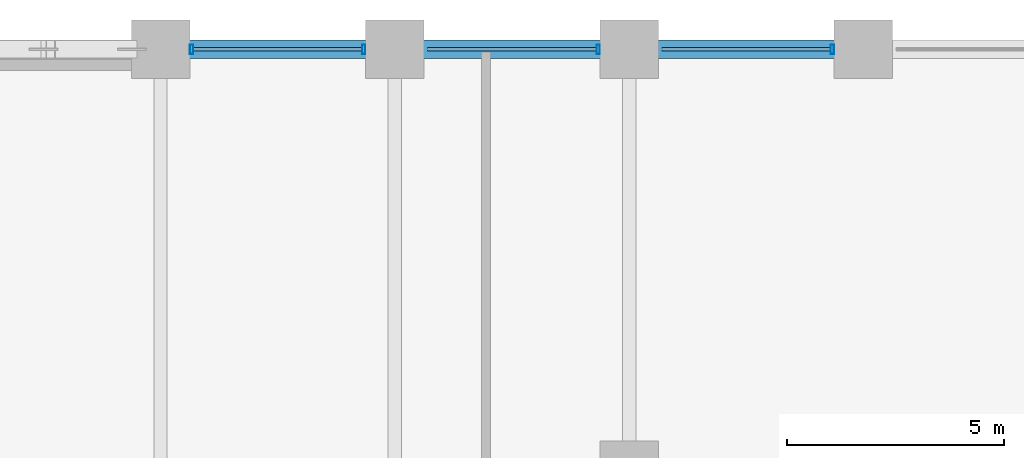
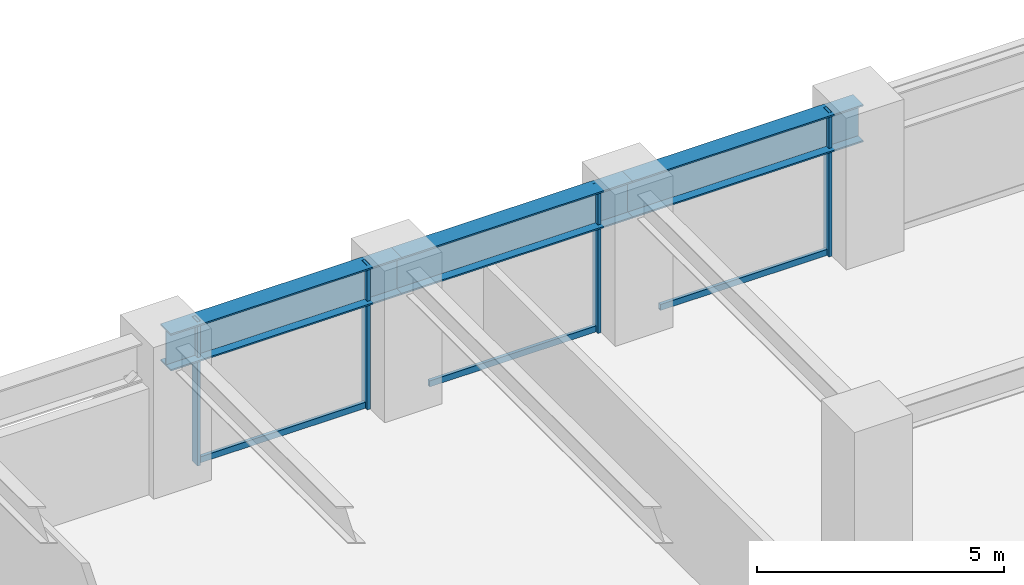
# One storey, part 15 of 25: 7 members, 3 beams, 1 element without a shape of its own.
"""IFC4 building model written with IfcOpenShell, lengths in metres."""

from ifc_helpers import new_model, si_unit, direction, frame, origin, origin_2d, place, context, subcontext, project, spatial, hollow_rectangle, i_section, extrude, material, layer, layer_set, material_profile, profile_set, type_object, element, aggregate, save


model = new_model("IFC4")

# Units and contexts
model_context = context("Model", 3, precision=1e-05, world=origin(), true_north=direction((0.0, 1.0)))
body_context = subcontext(model_context, "Body", "Model", "MODEL_VIEW")
ifc_project = project(units=[si_unit("LENGTHUNIT", "METRE"), si_unit("AREAUNIT", "SQUARE_METRE"), si_unit("VOLUMEUNIT", "CUBIC_METRE"), si_unit("PLANEANGLEUNIT", "RADIAN"), si_unit("MASSUNIT", "GRAM", prefix="KILO")], contexts=[model_context])

# Site, building, storey
site_placement = place(None, origin())
site = spatial("IfcSite", under=ifc_project, at=site_placement, CompositionType="ELEMENT")
building_placement = place(site_placement, origin())
building = spatial("IfcBuilding", under=site, at=building_placement, Name="Surkhivell Harbour Commons", CompositionType="ELEMENT")
storey_placement = place(building_placement, frame((0.0, 0.0, 45.0)))
storey = spatial("IfcBuildingStorey", under=building, at=storey_placement, Name="L11", CompositionType="ELEMENT", Elevation=45.0)

# Beams
ifc_material_1 = material(Name="Steel S460", Category="steel")
ifc_material_profile_1 = material_profile(ifc_material_1, i_section(OverallWidth=0.419921875, OverallDepth=0.9208984375, WebThickness=0.021484375, FlangeThickness=0.03662109375, at=origin_2d()), Name="UB914x419x388")
ifc_profile_set_1 = profile_set([ifc_material_profile_1], Name="Steel S460")
beam_type = type_object("IfcBeamType", Name="BM-SPN-914A", PredefinedType="SPANDREL", material=ifc_profile_set_1)
beam_1_placement = place(storey_placement, frame((5.39990234375, 25.89990234375, 3.109619140625), z_axis=(1.0, 0.0, 0.0), x_axis=(0.0, 1.0, 0.0)))
element("IfcBeam", 1, at=beam_1_placement, inside=storey, type_object=beam_type, Name="L11 Tube Spandrel (5.4,25.9)", PredefinedType="SPANDREL", context=body_context, shape_type="SweptSolid", body=[
    extrude(i_section(OverallWidth=0.419921875, OverallDepth=0.9208984375, WebThickness=0.021484375, FlangeThickness=0.03662109375, at=origin_2d()), origin(), (0.0, 0.0, 1.0), 5.400146484375),
])
beam_2_placement = place(storey_placement, frame((10.800048828125, 25.89990234375, 3.109619140625), z_axis=(1.0, 0.0, 0.0), x_axis=(0.0, 1.0, 0.0)))
element("IfcBeam", 2, at=beam_2_placement, inside=storey, type_object=beam_type, Name="L11 Tube Spandrel (10.8,25.9)", PredefinedType="SPANDREL", context=body_context, shape_type="SweptSolid", body=[
    extrude(i_section(OverallWidth=0.419921875, OverallDepth=0.9208984375, WebThickness=0.021484375, FlangeThickness=0.03662109375, at=origin_2d()), origin(), (0.0, 0.0, 1.0), 5.39990234375),
])
beam_3_placement = place(storey_placement, frame((16.199951171875, 25.89990234375, 3.109619140625), z_axis=(1.0, 0.0, 0.0), x_axis=(0.0, 1.0, 0.0)))
element("IfcBeam", 3, at=beam_3_placement, inside=storey, type_object=beam_type, Name="L11 Tube Spandrel (16.2,25.9)", PredefinedType="SPANDREL", context=body_context, shape_type="SweptSolid", body=[
    extrude(i_section(OverallWidth=0.419921875, OverallDepth=0.9208984375, WebThickness=0.021484375, FlangeThickness=0.03662109375, at=origin_2d()), origin(), (0.0, 0.0, 1.0), 5.400146484375),
])

# Curtain wall, members
ifc_material_2 = material(Name="Anodised pale-metal aluminium and insulated glazing", Category="aluminium")
ifc_layer = layer(ifc_material_2, 0.219970703125)
ifc_layer_set = layer_set([ifc_layer], Name="Anodised pale-metal aluminium and insulated glazing")
curtain_wall_type = type_object("IfcCurtainWallType", Name="CW-SYS-Z1", PredefinedType="NOTDEFINED", material=ifc_layer_set)
curtain_wall_placement = place(storey_placement, origin())
curtain_wall = element("IfcCurtainWall", 4, at=curtain_wall_placement, inside=storey, type_object=curtain_wall_type, Name="L11 Curtain Wall CW-L11-E07S1", PredefinedType="NOTDEFINED")
ifc_material_3 = material(Name="Anodised pale-metal aluminium alloy 6063-T6", Category="aluminium")
ifc_material_profile_2 = material_profile(ifc_material_3, hollow_rectangle(XDim=0.074951171875, YDim=0.219970703125, WallThickness=0.00390625, at=origin_2d()), Name="ALU-MULL-75x220")
ifc_profile_set_2 = profile_set([ifc_material_profile_2], Name="Anodised pale-metal aluminium alloy 6063-T6")
member_type_1 = type_object("IfcMemberType", Name="CWM-220", PredefinedType="MULLION", material=ifc_profile_set_2)
member_1_placement = place(storey_placement, frame((20.885498046875, 25.89990234375, 0.0), z_axis=(0.0, 0.0, 1.0), x_axis=(-1.0, 0.0, 0.0)))
member_1 = element("IfcMember", 5, at=member_1_placement, type_object=member_type_1, Name="CW-Z1 mullion 2", PredefinedType="MULLION", context=body_context, shape_type="SweptSolid", body=[
    extrude(hollow_rectangle(XDim=0.074951171875, YDim=0.219970703125, WallThickness=0.00390625, at=origin_2d()), origin(), (0.0, 0.0, 1.0), 3.570068359375),
])
member_2_placement = place(storey_placement, frame((15.485595703125, 25.89990234375, 0.0), z_axis=(0.0, 0.0, 1.0), x_axis=(-1.0, 0.0, 0.0)))
member_2 = element("IfcMember", 6, at=member_2_placement, type_object=member_type_1, Name="CW-Z1 mullion 3", PredefinedType="MULLION", context=body_context, shape_type="SweptSolid", body=[
    extrude(hollow_rectangle(XDim=0.074951171875, YDim=0.219970703125, WallThickness=0.00390625, at=origin_2d()), origin(), (0.0, 0.0, 1.0), 3.570068359375),
])
member_3_placement = place(storey_placement, frame((10.08544921875, 25.89990234375, 0.0), z_axis=(0.0, 0.0, 1.0), x_axis=(-1.0, 0.0, 0.0)))
member_3 = element("IfcMember", 7, at=member_3_placement, type_object=member_type_1, Name="CW-Z1 mullion 4", PredefinedType="MULLION", context=body_context, shape_type="SweptSolid", body=[
    extrude(hollow_rectangle(XDim=0.074951171875, YDim=0.219970703125, WallThickness=0.00390625, at=origin_2d()), origin(), (0.0, 0.0, 1.0), 3.570068359375),
])
member_4_placement = place(storey_placement, frame((6.114501953125, 25.89990234375, 0.0), z_axis=(0.0, 0.0, 1.0), x_axis=(-1.0, 0.0, 0.0)))
member_4 = element("IfcMember", 8, at=member_4_placement, type_object=member_type_1, Name="CW-Z1 mullion 5", PredefinedType="MULLION", context=body_context, shape_type="SweptSolid", body=[
    extrude(hollow_rectangle(XDim=0.074951171875, YDim=0.219970703125, WallThickness=0.00390625, at=origin_2d()), origin(), (0.0, 0.0, 1.0), 3.570068359375),
])
ifc_material_profile_3 = material_profile(ifc_material_3, hollow_rectangle(XDim=0.074951171875, YDim=0.14990234375, WallThickness=0.00341796875, at=origin_2d()), Name="ALU-TRAN-75x150")
ifc_profile_set_3 = profile_set([ifc_material_profile_3], Name="Anodised pale-metal aluminium alloy 6063-T6")
member_type_2 = type_object("IfcMemberType", Name="CWT-150", PredefinedType="USERDEFINED", material=ifc_profile_set_3)
member_5_placement = place(storey_placement, frame((20.847900390625, 25.89990234375, 0.074951171875), z_axis=(-1.0, 0.0, 0.0), x_axis=(0.0, -1.0, 0.0)))
member_5 = element("IfcMember", 9, at=member_5_placement, type_object=member_type_2, Name="CW-Z1 transom 2.1", ObjectType="TRANSOM", PredefinedType="USERDEFINED", context=body_context, shape_type="SweptSolid", body=[
    extrude(hollow_rectangle(XDim=0.074951171875, YDim=0.14990234375, WallThickness=0.00341796875, at=origin_2d()), origin(), (0.0, 0.0, 1.0), 3.89599609375),
])
member_6_placement = place(storey_placement, frame((15.447998046875, 25.89990234375, 0.074951171875), z_axis=(-1.0, 0.0, 0.0), x_axis=(0.0, -1.0, 0.0)))
member_6 = element("IfcMember", 10, at=member_6_placement, type_object=member_type_2, Name="CW-Z1 transom 3.1", ObjectType="TRANSOM", PredefinedType="USERDEFINED", context=body_context, shape_type="SweptSolid", body=[
    extrude(hollow_rectangle(XDim=0.074951171875, YDim=0.14990234375, WallThickness=0.00341796875, at=origin_2d()), origin(), (0.0, 0.0, 1.0), 3.89599609375),
])
member_7_placement = place(storey_placement, frame((10.048095703125, 25.89990234375, 0.074951171875), z_axis=(-1.0, 0.0, 0.0), x_axis=(0.0, -1.0, 0.0)))
member_7 = element("IfcMember", 11, at=member_7_placement, type_object=member_type_2, Name="CW-Z1 transom 4.1", ObjectType="TRANSOM", PredefinedType="USERDEFINED", context=body_context, shape_type="SweptSolid", body=[
    extrude(hollow_rectangle(XDim=0.074951171875, YDim=0.14990234375, WallThickness=0.00341796875, at=origin_2d()), origin(), (0.0, 0.0, 1.0), 3.89599609375),
])
aggregate(curtain_wall, [member_1, member_5, member_2, member_6, member_3, member_4, member_7])

save(model, "model.ifc")
